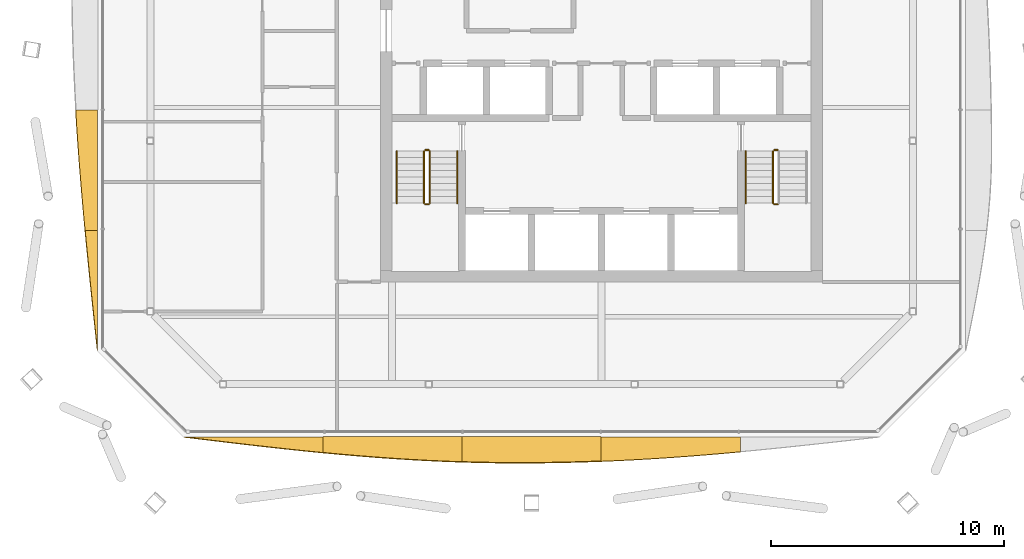
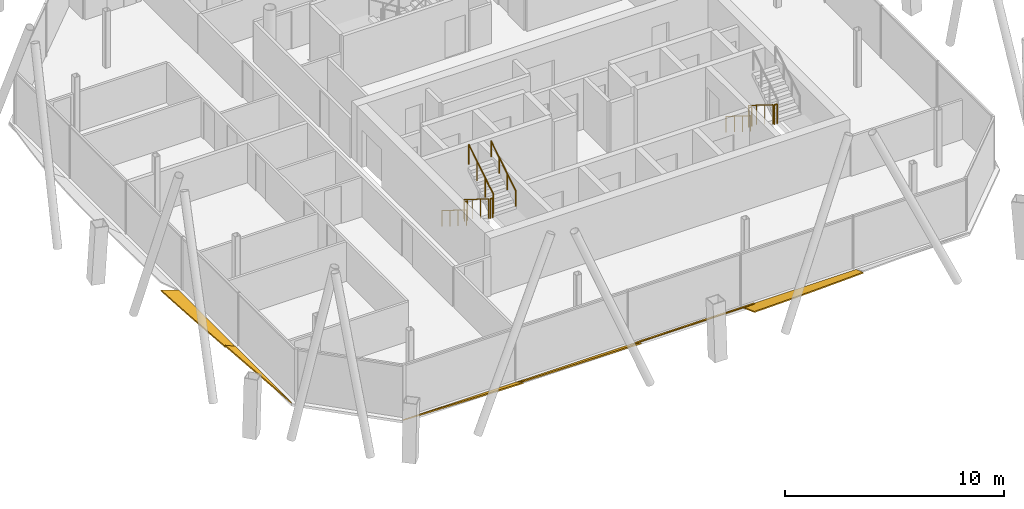
# One storey, part 15 of 17: 10 railings, 6 shading devices.
"""IFC4 building model written with IfcOpenShell, lengths in metres."""

from ifc_helpers import new_model, si_unit, direction, frame, origin, origin_2d, place, context, subcontext, project, spatial, polyline, circle, outline, extrude, material, layer, layer_set, type_object, element, save


model = new_model("IFC4")

# Units and contexts
model_context = context("Model", 3, precision=1e-05, world=origin(), true_north=direction((0.0, 1.0)))
body_context = subcontext(model_context, "Body", "Model", "MODEL_VIEW")
ifc_project = project(units=[si_unit("LENGTHUNIT", "METRE"), si_unit("AREAUNIT", "SQUARE_METRE"), si_unit("VOLUMEUNIT", "CUBIC_METRE"), si_unit("PLANEANGLEUNIT", "RADIAN"), si_unit("MASSUNIT", "GRAM", prefix="KILO")], contexts=[model_context])

# Site, building, storey
site_placement = place(None, origin())
site = spatial("IfcSite", under=ifc_project, at=site_placement, CompositionType="ELEMENT")
building_placement = place(site_placement, origin())
building = spatial("IfcBuilding", under=site, at=building_placement, Name="Tskaro Facet Tower", CompositionType="ELEMENT")
storey_placement = place(building_placement, frame((0.0, 0.0, 226.64990234375)))
storey = spatial("IfcBuildingStorey", under=building, at=storey_placement, Name="L58", CompositionType="ELEMENT", Elevation=226.64990234375)

# Shading devices
ifc_material_1 = material(Name="Bronze anodised aluminium 6063-T6", Category="aluminium")
ifc_layer = layer(ifc_material_1, 0.06005859375, Name="Bronze anodised aluminium 6063-T6")
ifc_layer_set = layer_set([ifc_layer], Name="Bronze anodised aluminium 6063-T6")
shading_device_type = type_object("IfcShadingDeviceType", Name="Bronze sun blade (FN1)", PredefinedType="USERDEFINED", material=ifc_layer_set)
shading_device_1_placement = place(storey_placement, frame((-17.947998046875, -18.656982421875, 0.052001953125), z_axis=(-4.44123e-07, 0.500010149738, 0.866019543751), x_axis=(1.0, 2.22066e-07, 3.84619e-07)))
element("IfcShadingDevice", 1, at=shading_device_1_placement, inside=storey, type_object=shading_device_type, Name="Fin blade south 1", ObjectType="FIN", PredefinedType="USERDEFINED", context=body_context, shape_type="SweptSolid", body=[
    extrude(outline(polyline([(0.0, 0.0), (5.97924804687441, 0.0), (5.979248046874967, -0.7797671550652635), (5.231689453134112, -0.6937960253782532), (4.484374999986375, -0.603554782286968), (3.7370605469006604, -0.5091654985818713), (2.989501953129005, -0.4115959692641213), (2.2421875000153118, -0.310968267124181), (1.4948730468513056, -0.2085836905063455), (0.7473144531058881, -0.10456431220107808), (0.0, 0.0)])), origin(), (0.0, 0.0, -1.0), 0.06005859375),
])
shading_device_2_placement = place(storey_placement, frame((-11.96875, -18.652587890625, 0.04931640625), z_axis=(-1.7387751e-05, 0.573537332031, 0.819179423853), x_axis=(0.999999999849, 9.972524e-06, 1.4243688e-05)))
element("IfcShadingDevice", 2, at=shading_device_2_placement, inside=storey, type_object=shading_device_type, Name="Fin blade south 2", ObjectType="FIN", PredefinedType="USERDEFINED", context=body_context, shape_type="SweptSolid", body=[
    extrude(outline(polyline([(0.0, 0.0), (5.9792480459711355, 0.0), (5.9792480477107475, -1.31051107734798), (5.2316894520404, -1.2770497627184088), (4.48437499805201, -1.2349881185142066), (3.737060546163379, -1.1846661634746551), (2.989501954357609, -1.1266239113155914), (2.242187501449929, -1.0610613570135725), (1.494628904798479, -0.9885185142844366), (0.7473144526081108, -0.9092754306536315), (-2.007469376066568e-09, -0.8242721097901087), (0.0, 0.0)])), origin(), (0.0, 0.0, -1.0), 0.06005859375),
])
shading_device_3_placement = place(storey_placement, frame((-5.989501953125, -18.6484375, 0.046142578125), z_axis=(-9.186775e-06, 0.642749287058, 0.766076597934), x_axis=(0.999999999958, 5.904793e-06, 7.037773e-06)))
element("IfcShadingDevice", 3, at=shading_device_3_placement, inside=storey, type_object=shading_device_type, Name="Fin blade south 3", ObjectType="FIN", PredefinedType="USERDEFINED", context=body_context, shape_type="SweptSolid", body=[
    extrude(outline(polyline([(0.0, 0.0), (5.979003905997696, -5.064413300355912e-21), (5.979003906699701, -1.3608685959330926), (5.231689452828631, -1.3955347420031778), (4.484375000356823, -1.422042751702191), (3.736816407217689, -1.4405796554495578), (2.989501952666395, -1.4506445804005184), (2.4514160154071396, -1.4528953206124995), (2.2421874995143622, -1.4525513689804068), (1.4946289060301776, -1.444924214660853), (0.7473144520222191, -1.427950147861282), (-2.5130272517580007e-10, -1.4012551077428432), (0.0, 0.0)])), origin(), (0.0, 0.0, -1.0), 0.06005859375),
])
shading_device_4_placement = place(storey_placement, frame((-0.010498046875, -18.66650390625, 0.056396484375), z_axis=(6.336982e-06, 0.342119803754, 0.93965634135), x_axis=(0.99999999998, -2.168007e-06, -5.954586e-06)))
element("IfcShadingDevice", 4, at=shading_device_4_placement, inside=storey, type_object=shading_device_type, Name="Fin blade south 4", ObjectType="FIN", PredefinedType="USERDEFINED", context=body_context, shape_type="SweptSolid", body=[
    extrude(outline(polyline([(0.0, 0.0), (5.979248046754945, 0.0), (5.979248046619342, -0.6750177024496974), (5.231933593295683, -0.7469998574152759), (4.484619140620942, -0.8142679858254429), (3.7370605470456684, -0.8771350213093807), (2.989746094215009, -0.9350586219514403), (2.2421874992910786, -0.9873505628922205), (1.4948730469606788, -1.0340732017327583), (0.7475585940864606, -1.0748512472428349), (-4.858695140419781e-10, -1.109455291135983), (0.0, 0.0)])), origin(), (0.0, 0.0, -1.0), 0.06005859375),
])
shading_device_5_placement = place(storey_placement, frame((-21.66650390625, -4.615478515625, 0.056396484375), z_axis=(0.342121695858, 2.3117835e-05, 0.939655652188), x_axis=(7.909113e-06, -0.999999999733, 2.1722805e-05)))
element("IfcShadingDevice", 5, at=shading_device_5_placement, inside=storey, type_object=shading_device_type, Name="Fin blade west 4", ObjectType="FIN", PredefinedType="USERDEFINED", context=body_context, shape_type="SweptSolid", body=[
    extrude(outline(polyline([(0.0, 0.0), (5.1662597642444865, 4.375992235558655e-21), (5.16625976669799, -0.5648856864244328), (4.428222654434447, -0.6373266576943037), (3.6901855460593938, -0.7064512202079479), (2.952148436269411, -0.7721758481606897), (2.2141113289263687, -0.8340417253159872), (1.4760742172853016, -0.8914229838279472), (0.7380371100221118, -0.9447160834241912), (-2.9806508002086678e-09, -0.9929822223358802), (0.0, 0.0)])), origin(), (0.0, 0.0, -1.0), 0.06005859375),
])
shading_device_6_placement = place(storey_placement, frame((-21.66162109375, -9.78173828125, 0.054443359375), z_axis=(0.4227321569, 3.666759e-06, 0.906254668131), x_axis=(1.550057e-06, -0.999999999993, 3.323018e-06)))
element("IfcShadingDevice", 6, at=shading_device_6_placement, inside=storey, type_object=shading_device_type, Name="Fin blade west 5", ObjectType="FIN", PredefinedType="USERDEFINED", context=body_context, shape_type="SweptSolid", body=[
    extrude(outline(polyline([(0.0, 0.0), (5.16625976559027, 0.0), (4.428222656112122, -0.08727028031463552), (3.690185546957988, -0.17377359379301266), (2.952148437749433, -0.25973119401621964), (2.214111327999187, -0.34427290805500427), (1.4760742184641131, -0.4269562287471903), (0.7380371095226439, -0.5075599025116894), (-6.935655168909536e-11, -0.5856562635814258), (0.0, 0.0)])), origin(), (0.0, 0.0, -1.0), 0.06005859375),
])

# Railings
ifc_material_2 = material(Name="Stainless steel", Category="steel")
railing_type_1 = type_object("IfcRailingType", Name="RL-GUARD-1100", PredefinedType="GUARDRAIL", material=ifc_material_2)
railing_1_placement = place(storey_placement, frame((-7.625, -6.375, 0.175048828125)))
element("IfcRailing", 7, at=railing_1_placement, inside=storey, type_object=railing_type_1, Name="L58 ST-1 stair guard 1", PredefinedType="GUARDRAIL", context=body_context, shape_type="SweptSolid", body=[
    extrude(circle(Radius=0.02392578125, at=origin_2d()), frame((0.0, 0.0, 1.076171875), z_axis=(0.0, -0.847972341737, 0.530040477369), x_axis=(1.0, 0.0, 0.0)), (0.0, 0.0, 1.0), 2.6416015625),
    extrude(circle(Radius=0.02099609375, at=origin_2d()), origin(), (0.0, 0.0, 1.0), 1.052001953125),
    extrude(circle(Radius=0.02099609375, at=origin_2d()), frame((0.0, -0.74658203125, 0.466796875)), (0.0, 0.0, 1.0), 1.052001953125),
    extrude(circle(Radius=0.02099609375, at=origin_2d()), frame((0.0, -1.493408203125, 0.933349609375)), (0.0, 0.0, 1.0), 1.052001953125),
    extrude(circle(Radius=0.02099609375, at=origin_2d()), frame((0.0, -2.239990234375, 1.400146484375)), (0.0, 0.0, 1.0), 1.052001953125),
])
railing_2_placement = place(storey_placement, frame((-7.574951171875, -8.6650390625, 1.5751953125)))
element("IfcRailing", 8, at=railing_2_placement, inside=storey, type_object=railing_type_1, Name="L58 ST-1 stair guard 2", PredefinedType="GUARDRAIL", context=body_context, shape_type="SweptSolid", body=[
    extrude(circle(Radius=0.02392578125, at=origin_2d()), frame((0.0, 0.0, 1.076171875), z_axis=(1.0, 0.0, 0.0), x_axis=(0.0, 1.0, 0.0)), (0.0, 0.0, 1.0), 0.14990234375),
    extrude(circle(Radius=0.02099609375, at=origin_2d()), origin(), (0.0, 0.0, 1.0), 1.052001953125),
    extrude(circle(Radius=0.02099609375, at=origin_2d()), frame((0.14990234375, 0.0, 0.0)), (0.0, 0.0, 1.0), 1.052001953125),
])
railing_3_placement = place(storey_placement, frame((-7.375, -8.614990234375, 1.75)))
element("IfcRailing", 9, at=railing_3_placement, inside=storey, type_object=railing_type_1, Name="L58 ST-1 stair guard 3", PredefinedType="GUARDRAIL", context=body_context, shape_type="SweptSolid", body=[
    extrude(circle(Radius=0.02392578125, at=origin_2d()), frame((0.0, 0.0, 1.076171875), z_axis=(0.0, 0.847972341737, 0.530040477369), x_axis=(-1.0, 0.0, 0.0)), (0.0, 0.0, 1.0), 2.6416015625),
    extrude(circle(Radius=0.02099609375, at=origin_2d()), origin(), (0.0, 0.0, 1.0), 1.052001953125),
    extrude(circle(Radius=0.02099609375, at=origin_2d()), frame((0.0, 0.74658203125, 0.466796875)), (0.0, 0.0, 1.0), 1.052001953125),
    extrude(circle(Radius=0.02099609375, at=origin_2d()), frame((0.0, 1.493408203125, 0.933349609375)), (0.0, 0.0, 1.0), 1.052001953125),
    extrude(circle(Radius=0.02099609375, at=origin_2d()), frame((0.0, 2.239990234375, 1.400146484375)), (0.0, 0.0, 1.0), 1.052001953125),
])
railing_4_placement = place(storey_placement, frame((-7.574951171875, -6.324951171875, 0.0)))
element("IfcRailing", 10, at=railing_4_placement, inside=storey, type_object=railing_type_1, Name="L58 ST-1 stair guard 4", PredefinedType="GUARDRAIL", context=body_context, shape_type="SweptSolid", body=[
    extrude(circle(Radius=0.02392578125, at=origin_2d()), frame((0.0, 0.0, 1.076171875), z_axis=(1.0, 0.0, 0.0), x_axis=(0.0, 1.0, 0.0)), (0.0, 0.0, 1.0), 0.14990234375),
    extrude(circle(Radius=0.02099609375, at=origin_2d()), origin(), (0.0, 0.0, 1.0), 1.052001953125),
    extrude(circle(Radius=0.02099609375, at=origin_2d()), frame((0.14990234375, 0.0, 0.0)), (0.0, 0.0, 1.0), 1.052001953125),
])
railing_5_placement = place(storey_placement, frame((7.375, -6.375, 0.175048828125)))
element("IfcRailing", 11, at=railing_5_placement, inside=storey, type_object=railing_type_1, Name="L58 ST-2 stair guard 1", PredefinedType="GUARDRAIL", context=body_context, shape_type="SweptSolid", body=[
    extrude(circle(Radius=0.02392578125, at=origin_2d()), frame((0.0, 0.0, 1.076171875), z_axis=(0.0, -0.847972341737, 0.530040477369), x_axis=(1.0, 0.0, 0.0)), (0.0, 0.0, 1.0), 2.6416015625),
    extrude(circle(Radius=0.02099609375, at=origin_2d()), origin(), (0.0, 0.0, 1.0), 1.052001953125),
    extrude(circle(Radius=0.02099609375, at=origin_2d()), frame((0.0, -0.74658203125, 0.466796875)), (0.0, 0.0, 1.0), 1.052001953125),
    extrude(circle(Radius=0.02099609375, at=origin_2d()), frame((0.0, -1.493408203125, 0.933349609375)), (0.0, 0.0, 1.0), 1.052001953125),
    extrude(circle(Radius=0.02099609375, at=origin_2d()), frame((0.0, -2.239990234375, 1.400146484375)), (0.0, 0.0, 1.0), 1.052001953125),
])
for number, where, name in (
    (12, (7.425048828125, -8.6650390625, 1.5751953125), "L58 ST-2 stair guard 2"),
    (13, (7.425048828125, -6.324951171875, 0.0), "L58 ST-2 stair guard 4"),
):
    element("IfcRailing", number, at=place(storey_placement, frame(where)), inside=storey, type_object=railing_type_1, Name=name, PredefinedType="GUARDRAIL", context=body_context, shape_type="SweptSolid", body=[
        extrude(circle(Radius=0.02392578125, at=origin_2d()), frame((0.0, 0.0, 1.076171875), z_axis=(1.0, 0.0, 0.0), x_axis=(0.0, 1.0, 0.0)), (0.0, 0.0, 1.0), 0.14990234375),
        extrude(circle(Radius=0.02099609375, at=origin_2d()), origin(), (0.0, 0.0, 1.0), 1.052001953125),
        extrude(circle(Radius=0.02099609375, at=origin_2d()), frame((0.14990234375, 0.0, 0.0)), (0.0, 0.0, 1.0), 1.052001953125),
    ])
railing_type_2 = type_object("IfcRailingType", Name="RL-HANDRAIL-900", PredefinedType="HANDRAIL", material=ifc_material_2)
railing_6_placement = place(storey_placement, frame((-8.800048828125, -6.375, 0.175048828125)))
element("IfcRailing", 14, at=railing_6_placement, inside=storey, type_object=railing_type_2, Name="L58 ST-1 stair handrail 1", PredefinedType="HANDRAIL", context=body_context, shape_type="SweptSolid", body=[
    extrude(circle(Radius=0.02392578125, at=origin_2d()), frame((0.0, 0.0, 0.8759765625), z_axis=(0.0, -0.847972341737, 0.530040477369), x_axis=(1.0, 0.0, 0.0)), (0.0, 0.0, 1.0), 2.6416015625),
    extrude(circle(Radius=0.02099609375, at=origin_2d()), origin(), (0.0, 0.0, 1.0), 0.851806640625),
    extrude(circle(Radius=0.02099609375, at=origin_2d()), frame((0.0, -0.74658203125, 0.466796875)), (0.0, 0.0, 1.0), 0.851806640625),
    extrude(circle(Radius=0.02099609375, at=origin_2d()), frame((0.0, -1.493408203125, 0.933349609375)), (0.0, 0.0, 1.0), 0.851806640625),
    extrude(circle(Radius=0.02099609375, at=origin_2d()), frame((0.0, -2.239990234375, 1.400146484375)), (0.0, 0.0, 1.0), 0.851806640625),
])
railing_7_placement = place(storey_placement, frame((-6.199951171875, -8.614990234375, 1.75)))
element("IfcRailing", 15, at=railing_7_placement, inside=storey, type_object=railing_type_2, Name="L58 ST-1 stair handrail 2", PredefinedType="HANDRAIL", context=body_context, shape_type="SweptSolid", body=[
    extrude(circle(Radius=0.02392578125, at=origin_2d()), frame((0.0, 0.0, 0.8759765625), z_axis=(0.0, 0.847972341737, 0.530040477369), x_axis=(-1.0, 0.0, 0.0)), (0.0, 0.0, 1.0), 2.6416015625),
    extrude(circle(Radius=0.02099609375, at=origin_2d()), origin(), (0.0, 0.0, 1.0), 0.851806640625),
    extrude(circle(Radius=0.02099609375, at=origin_2d()), frame((0.0, 0.74658203125, 0.466796875)), (0.0, 0.0, 1.0), 0.851806640625),
    extrude(circle(Radius=0.02099609375, at=origin_2d()), frame((0.0, 1.493408203125, 0.933349609375)), (0.0, 0.0, 1.0), 0.851806640625),
    extrude(circle(Radius=0.02099609375, at=origin_2d()), frame((0.0, 2.239990234375, 1.400146484375)), (0.0, 0.0, 1.0), 0.851806640625),
])
railing_8_placement = place(storey_placement, frame((6.199951171875, -6.375, 0.175048828125)))
element("IfcRailing", 16, at=railing_8_placement, inside=storey, type_object=railing_type_2, Name="L58 ST-2 stair handrail 1", PredefinedType="HANDRAIL", context=body_context, shape_type="SweptSolid", body=[
    extrude(circle(Radius=0.02392578125, at=origin_2d()), frame((0.0, 0.0, 0.8759765625), z_axis=(0.0, -0.847972341737, 0.530040477369), x_axis=(1.0, 0.0, 0.0)), (0.0, 0.0, 1.0), 2.6416015625),
    extrude(circle(Radius=0.02099609375, at=origin_2d()), origin(), (0.0, 0.0, 1.0), 0.851806640625),
    extrude(circle(Radius=0.02099609375, at=origin_2d()), frame((0.0, -0.74658203125, 0.466796875)), (0.0, 0.0, 1.0), 0.851806640625),
    extrude(circle(Radius=0.02099609375, at=origin_2d()), frame((0.0, -1.493408203125, 0.933349609375)), (0.0, 0.0, 1.0), 0.851806640625),
    extrude(circle(Radius=0.02099609375, at=origin_2d()), frame((0.0, -2.239990234375, 1.400146484375)), (0.0, 0.0, 1.0), 0.851806640625),
])

save(model, "model.ifc")
